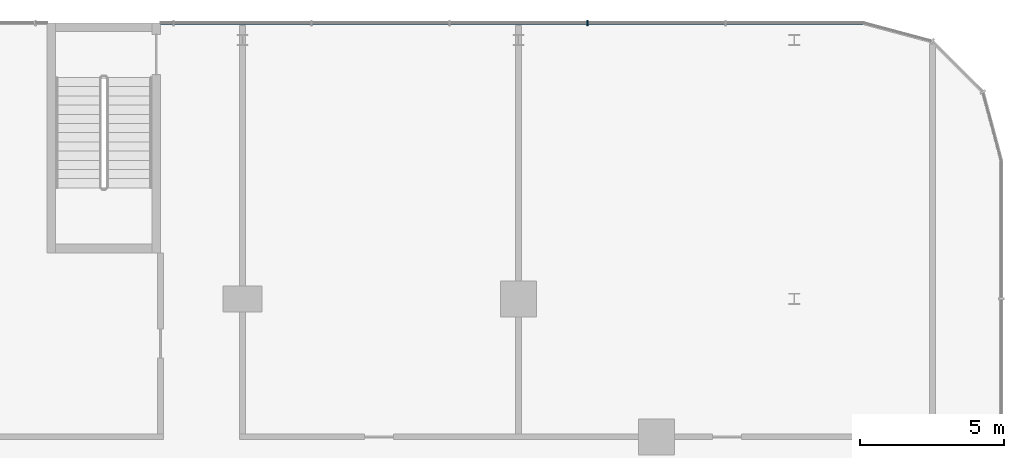
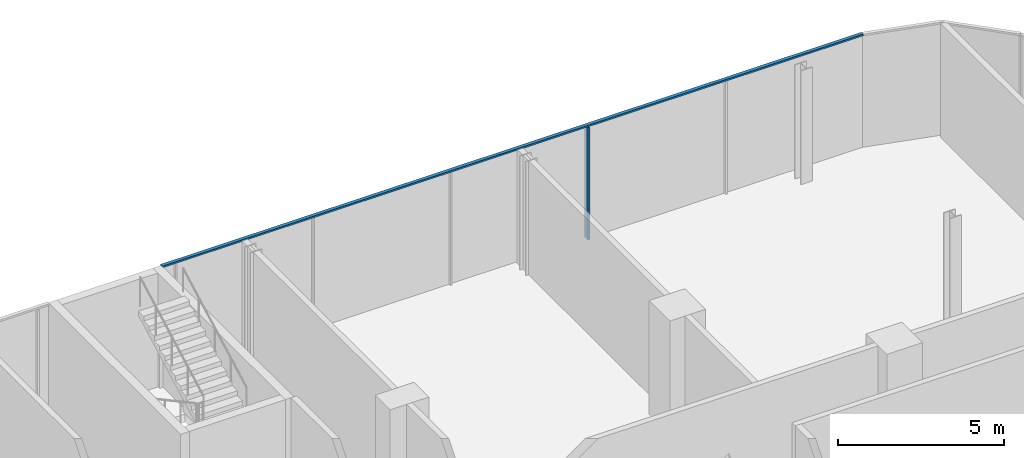
# One storey, part 18 of 43: 2 members, 1 element without a shape of its own.
"""IFC4 building model written with IfcOpenShell, lengths in metres."""

from ifc_helpers import new_model, si_unit, direction, frame, origin, origin_2d, place, context, subcontext, project, spatial, rectangle, extrude, material, layer, layer_set, material_profile, profile_set, type_object, element, aggregate, save


model = new_model("IFC4")

# Units and contexts
model_context = context("Model", 3, precision=1e-05, world=origin(), true_north=direction((0.0, 1.0)))
body_context = subcontext(model_context, "Body", "Model", "MODEL_VIEW")
ifc_project = project(units=[si_unit("LENGTHUNIT", "METRE"), si_unit("AREAUNIT", "SQUARE_METRE"), si_unit("VOLUMEUNIT", "CUBIC_METRE"), si_unit("PLANEANGLEUNIT", "RADIAN"), si_unit("MASSUNIT", "GRAM", prefix="KILO")], contexts=[model_context])

# Site, building, storey
site_placement = place(None, origin())
site = spatial("IfcSite", under=ifc_project, at=site_placement, CompositionType="ELEMENT")
building_placement = place(site_placement, origin())
building = spatial("IfcBuilding", under=site, at=building_placement, Name="Madar Terraces", CompositionType="ELEMENT")
storey_placement = place(building_placement, frame((0.0, 0.0, 10.5)))
storey = spatial("IfcBuildingStorey", under=building, at=storey_placement, Name="L02", CompositionType="ELEMENT", Elevation=10.5)

# Curtain wall, members
ifc_material_1 = material(Name="Glass, clear low-iron, with black aluminium frame", Category="aluminium")
ifc_layer = layer(ifc_material_1, 0.199951171875)
ifc_layer_set = layer_set([ifc_layer], Name="Facade curtain wall, shopfront glazing")
curtain_wall_type = type_object("IfcCurtainWallType", Name="Facade curtain wall, shopfront glazing", PredefinedType="NOTDEFINED", material=ifc_layer_set)
curtain_wall_placement = place(storey_placement, origin())
curtain_wall = element("IfcCurtainWall", 1, at=curtain_wall_placement, inside=storey, type_object=curtain_wall_type, Name="Outer skin curtain wall north bay 1", PredefinedType="NOTDEFINED")
ifc_material_2 = material(Name="Aluminium, black anodised", Category="aluminium")
ifc_material_profile_1 = material_profile(ifc_material_2, rectangle(XDim=0.199951171875, YDim=0.06005859375, at=origin_2d()), Name="Facade mullion 60x200")
ifc_profile_set_1 = profile_set([ifc_material_profile_1], Name="Aluminium, black anodised")
member_type_1 = type_object("IfcMemberType", Name="Facade mullion 60x200", PredefinedType="MULLION", material=ifc_profile_set_1)
member_1_placement = place(storey_placement, frame((55.199951171875, 57.60009765625, 0.0), z_axis=(0.0, 0.0, 1.0), x_axis=(0.0, -1.0, 0.0)))
member_1 = element("IfcMember", 2, at=member_1_placement, type_object=member_type_1, Name="Mullion 2", PredefinedType="MULLION", context=body_context, shape_type="SweptSolid", body=[
    extrude(rectangle(XDim=0.199951171875, YDim=0.06005859375, at=origin_2d()), origin(), (0.0, 0.0, 1.0), 4.139892578125),
])
ifc_material_3 = material(Name="Aluminium, black anodised", Category="aluminium")
ifc_material_profile_2 = material_profile(ifc_material_3, rectangle(XDim=0.1201171875, YDim=0.06005859375, at=origin_2d()), Name="Facade transom 60x120")
ifc_profile_set_2 = profile_set([ifc_material_profile_2], Name="Aluminium, black anodised")
member_type_2 = type_object("IfcMemberType", Name="Facade transom 60x120", PredefinedType="USERDEFINED", material=ifc_profile_set_2)
member_2_placement = place(storey_placement, frame((64.800048828125, 57.60009765625, 4.169921875), z_axis=(-1.0, 0.0, 0.0), x_axis=(0.0, -1.0, 0.0)))
member_2 = element("IfcMember", 3, at=member_2_placement, type_object=member_type_2, Name="Transom 1", ObjectType="TRANSOM", PredefinedType="USERDEFINED", context=body_context, shape_type="SweptSolid", body=[
    extrude(rectangle(XDim=0.1201171875, YDim=0.06005859375, at=origin_2d()), origin(), (0.0, 0.0, 1.0), 24.449951171875),
])
aggregate(curtain_wall, [member_1, member_2])

save(model, "model.ifc")
